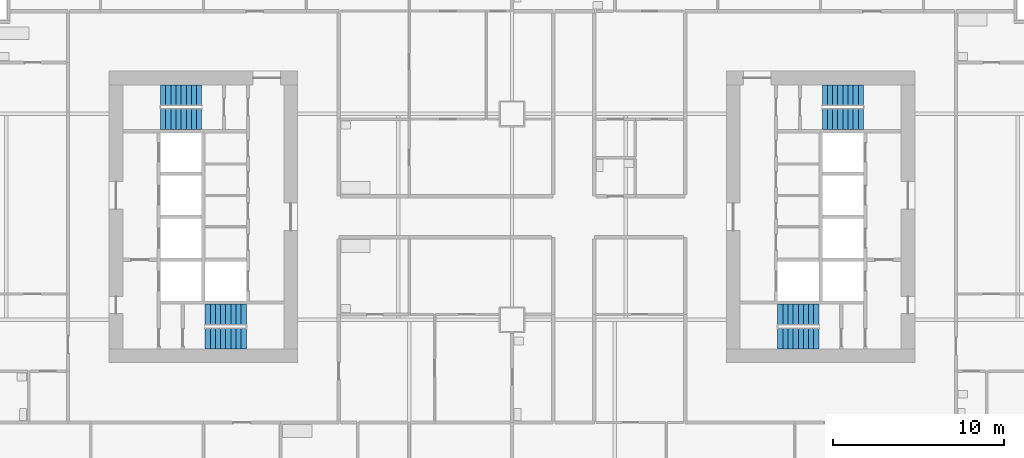
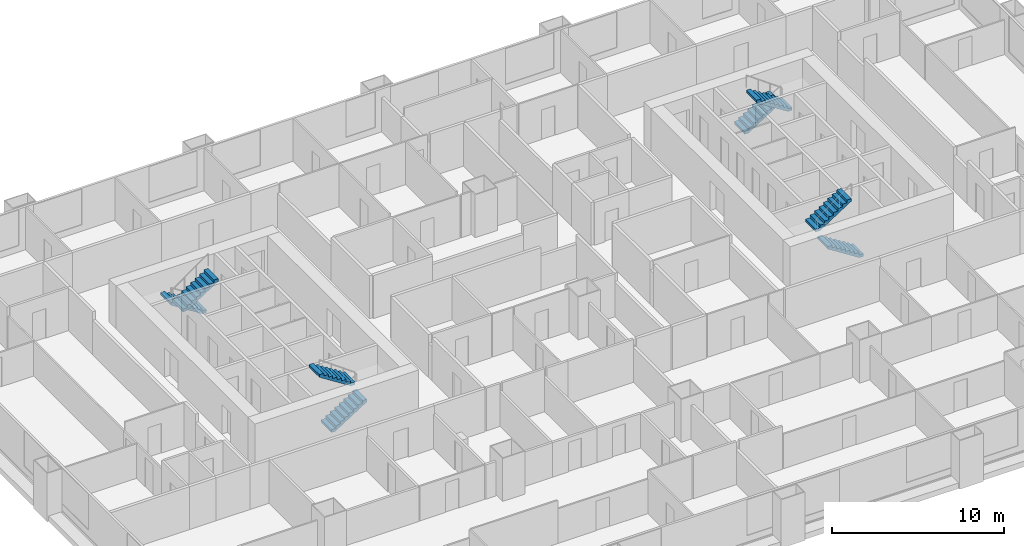
# One storey, part 11 of 13: 8 stair flights, 4 elements without a shape of their own.
"""IFC4 building model written with IfcOpenShell, lengths in metres."""

import ifcopenshell
import ifcopenshell.guid

model = None  # the IFC model being written
_history = None  # IfcOwnerHistory: only IFC2X3 demands one
_inside = {}  # id of a spatial element -> (the spatial element, [elements in it])
_under = {}  # id of a project, library or spatial element -> (it, [spatial elements below it])
_declared = {}  # id of a project -> (the project, [libraries it declares])
_typed = {}  # id of a type object -> (the type object, [elements of that type])
_made_of = {}  # id of a material, layer set ... -> (it, [elements and type objects made of it])


def new_model(schema):
    """Start an empty IFC model of exactly this schema.

    Asked for "IFC4X3", IfcOpenShell would pick the latest addendum, in which some entities
    have other attributes; the version numbers below select the first issue.
    IFC2X3 requires an IfcOwnerHistory on every rooted entity: one is made here for all.
    """
    global model, _history
    if schema == "IFC4X3":
        model = ifcopenshell.file(schema_version=(4, 3, 0, 0))
    else:
        model = ifcopenshell.file(schema=schema)
    _inside.clear()
    _under.clear()
    _declared.clear()
    _typed.clear()
    _made_of.clear()
    _history = None
    if model.schema == "IFC2X3":
        org = make("IfcOrganization", Name="unknown")
        user = make(
            "IfcPersonAndOrganization",
            ThePerson=make("IfcPerson", FamilyName="unknown"),
            TheOrganization=org,
        )
        app = make(
            "IfcApplication",
            ApplicationDeveloper=org,
            Version="unknown",
            ApplicationFullName="unknown",
            ApplicationIdentifier="unknown",
        )
        _history = make(
            "IfcOwnerHistory",
            OwningUser=user,
            OwningApplication=app,
            ChangeAction="ADDED",
            CreationDate=0,
        )
    return model


def make(cls, **values):
    """One entity of the class cls with the attributes given. An attribute that is None is left unset."""
    return model.create_entity(
        cls, **{name: value for name, value in values.items() if value is not None}
    )


def rooted(cls, **values):
    """An entity with a GlobalId (a new one), such as an element, a storey or a relation."""
    return make(cls, GlobalId=ifcopenshell.guid.new(), OwnerHistory=_history, **values)


def si_unit(unit_type, name, prefix=None):
    """IfcSIUnit, for example si_unit("LENGTHUNIT", "METRE", prefix="MILLI")."""
    return make("IfcSIUnit", UnitType=unit_type, Prefix=prefix, Name=name)


def assignment(units):
    """IfcUnitAssignment: the units of a project."""
    return None if units is None else make("IfcUnitAssignment", Units=units)


def point(xyz):
    """IfcCartesianPoint."""
    return None if xyz is None else make("IfcCartesianPoint", Coordinates=xyz)


def direction(xyz):
    """IfcDirection."""
    return None if xyz is None else make("IfcDirection", DirectionRatios=xyz)


def frame(location, z_axis=None, x_axis=None):
    """IfcAxis2Placement3D, a coordinate frame: its origin and axes. An axis left out is left unset."""
    return make(
        "IfcAxis2Placement3D",
        Location=point(location),
        Axis=direction(z_axis),
        RefDirection=direction(x_axis),
    )


def origin():
    """The frame at (0, 0, 0) with its axes left unset."""
    return frame((0.0, 0.0, 0.0))


def place(relative_to, where):
    """IfcLocalPlacement: puts the frame where relative to a parent placement (None: the world)."""
    return make(
        "IfcLocalPlacement", PlacementRelTo=relative_to, RelativePlacement=where
    )


def context(
    kind, dimensions, precision=None, world=None, true_north=None, identifier=None
):
    """IfcGeometricRepresentationContext, for example the 3D "Model" context."""
    return make(
        "IfcGeometricRepresentationContext",
        ContextIdentifier=identifier,
        ContextType=kind,
        CoordinateSpaceDimension=dimensions,
        Precision=precision,
        WorldCoordinateSystem=world,
        TrueNorth=true_north,
    )


def subcontext(parent, identifier, kind, view, scale=None):
    """IfcGeometricRepresentationSubContext, for example "Body" below "Model"."""
    return make(
        "IfcGeometricRepresentationSubContext",
        ContextIdentifier=identifier,
        ContextType=kind,
        ParentContext=parent,
        TargetScale=scale,
        TargetView=view,
    )


def project(units=None, contexts=None):
    """IfcProject with its units and contexts."""
    return rooted(
        "IfcProject",
        Name="project",
        RepresentationContexts=contexts,
        UnitsInContext=assignment(units),
    )


def spatial(cls, under=None, at=None, **own):
    """A site, building, storey or space (cls), placed at a placement, below another one or the project."""
    s = rooted(cls, ObjectPlacement=at, **own)
    if under is not None:
        _under.setdefault(under.id(), (under, []))[1].append(s)
    return s


def polyline(points):
    """IfcPolyline through the points."""
    return make("IfcPolyline", Points=[point(p) for p in points])


def outline(outer, holes=None, kind="AREA"):
    """IfcArbitraryClosedProfileDef: a profile drawn as a closed curve; with holes, ...WithVoids."""
    if holes is None:
        return make("IfcArbitraryClosedProfileDef", ProfileType=kind, OuterCurve=outer)
    return make(
        "IfcArbitraryProfileDefWithVoids",
        ProfileType=kind,
        OuterCurve=outer,
        InnerCurves=holes,
    )


def extrude(swept, where, along, depth):
    """IfcExtrudedAreaSolid: the profile swept, set in the frame where, extruded along a direction by depth."""
    return make(
        "IfcExtrudedAreaSolid",
        SweptArea=swept,
        Position=where,
        ExtrudedDirection=direction(along),
        Depth=depth,
    )


def shape(context_of_items, identifier, shape_type, items):
    """IfcShapeRepresentation: the items that make up one representation, for example the "Body"."""
    return make(
        "IfcShapeRepresentation",
        ContextOfItems=context_of_items,
        RepresentationIdentifier=identifier,
        RepresentationType=shape_type,
        Items=items,
    )


def material(Name=None, Category=None):
    """IfcMaterial."""
    return make("IfcMaterial", Name=Name, Category=Category)


def made_of(thing, what):
    """Note that an element or type object is made of a material, layer set ...; save() writes the relation."""
    if what is not None:
        _made_of.setdefault(what.id(), (what, []))[1].append(thing)
    return thing


def type_object(cls, material=None, **own):
    """A type object (cls), such as IfcWallType, which elements share."""
    return made_of(rooted(cls, **own), material)


def element(
    cls,
    number,
    at=None,
    inside=None,
    cuts=None,
    type_object=None,
    material=None,
    context=None,
    identifier="Body",
    shape_type=None,
    held_by="IfcProductDefinitionShape",
    body=None,
    shapes=None,
    **own,
):
    """One element of the class cls, such as IfcWall. Its Tag is "e" and its number.

    at: its placement. inside: the storey or other place that contains it. cuts: it is an
    opening in that element (IfcRelVoidsElement). A single representation is given by context,
    identifier, shape_type and body (its items); several are given by shapes. held_by: the class
    of the entity that holds the representations. save() writes the other relations.
    """
    e = rooted(cls, Tag="e%d" % number, ObjectPlacement=at, **own)
    if body is not None:
        shapes = [shape(context, identifier, shape_type, body)]
    if shapes is not None:
        e.Representation = make(held_by, Representations=shapes)
    if inside is not None:
        _inside.setdefault(inside.id(), (inside, []))[1].append(e)
    if cuts is not None:
        rooted(
            "IfcRelVoidsElement", RelatingBuildingElement=cuts, RelatedOpeningElement=e
        )
    if type_object is not None:
        _typed.setdefault(type_object.id(), (type_object, []))[1].append(e)
    return made_of(e, material)


def aggregate(whole, parts):
    """IfcRelAggregates: a whole, such as a stair, and the parts it consists of."""
    return rooted("IfcRelAggregates", RelatingObject=whole, RelatedObjects=parts)


def save(model, path):
    """Write the relations noted so far, then the file.

    IfcRelAggregates (storeys below a building ...), IfcRelContainedInSpatialStructure (elements
    in a storey), IfcRelDefinesByType, IfcRelAssociatesMaterial and IfcRelDeclares: one each for
    every whole, place, type object, material and project.
    """
    for whole, parts in _under.values():
        aggregate(whole, parts)
    for where, things in _inside.values():
        rooted(
            "IfcRelContainedInSpatialStructure",
            RelatedElements=things,
            RelatingStructure=where,
        )
    for kind, things in _typed.values():
        rooted("IfcRelDefinesByType", RelatedObjects=things, RelatingType=kind)
    for what, things in _made_of.values():
        rooted("IfcRelAssociatesMaterial", RelatedObjects=things, RelatingMaterial=what)
    for by, libraries in _declared.values():
        rooted("IfcRelDeclares", RelatingContext=by, RelatedDefinitions=libraries)
    model.write(path)


model = new_model("IFC4")

# Units and contexts
model_context = context("Model", 3, precision=1e-05, world=origin(), true_north=direction((0.0, 1.0)))
body_context = subcontext(model_context, "Body", "Model", "MODEL_VIEW")
ifc_project = project(units=[si_unit("LENGTHUNIT", "METRE"), si_unit("AREAUNIT", "SQUARE_METRE"), si_unit("VOLUMEUNIT", "CUBIC_METRE"), si_unit("PLANEANGLEUNIT", "RADIAN"), si_unit("MASSUNIT", "GRAM", prefix="KILO")], contexts=[model_context])

# Site, building, storey
site_placement = place(None, origin())
site = spatial("IfcSite", under=ifc_project, at=site_placement, CompositionType="ELEMENT")
building_placement = place(site_placement, origin())
building = spatial("IfcBuilding", under=site, at=building_placement, Name="Kitamizu Gate Tower and Museum", CompositionType="ELEMENT")
storey_placement = place(building_placement, frame((0.0, 0.0, 78.300048828125)))
storey = spatial("IfcBuildingStorey", under=building, at=storey_placement, Name="L19", CompositionType="ELEMENT", Elevation=78.300048828125)

# Stair, stair flights
ifc_material_1 = material(Name="Concrete Fc42", Category="concrete")
stair_type = type_object("IfcStairType", Name="Exit stair 1200 wide 192 rise 300 going", PredefinedType="HALF_TURN_STAIR", material=ifc_material_1)
stair_1_placement = place(storey_placement, origin())
stair_1 = element("IfcStair", 1, at=stair_1_placement, inside=storey, type_object=stair_type, Name="Exit stair ST1", PredefinedType="HALF_TURN_STAIR")
ifc_material_2 = material(Name="Concrete Fc42", Category="concrete")
stair_flight_type = type_object("IfcStairFlightType", Name="Stair flight 1200 wide 192 rise 300 going", PredefinedType="STRAIGHT", material=ifc_material_2)
stair_flight_1_placement = place(storey_placement, frame((18.10009765625, 22.89990234375, 0.0), z_axis=(0.0, 0.0, 1.0), x_axis=(1.0, 0.0, 0.0)))
stair_flight_1 = element("IfcStairFlight", 2, at=stair_flight_1_placement, type_object=stair_flight_type, Name="ST1 flight 1", NumberOfRisers=9, NumberOfTreads=8, PredefinedType="STRAIGHT", RiserHeight=0.191666667, TreadLength=0.3, context=body_context, shape_type="SweptSolid", body=[
    extrude(outline(polyline([(0.0, 0.0), (0.0, 0.191650390625), (0.300048828125, 0.191650390625), (0.300048828125, 0.38330078125), (0.60009765625, 0.38330078125), (0.60009765625, 0.574951171875), (0.89990234375, 0.574951171875), (0.89990234375, 0.7666015625), (1.199951171875, 0.7666015625), (1.199951171875, 0.958251953125), (1.5, 0.958251953125), (1.5, 1.14990234375), (1.800048828125, 1.14990234375), (1.800048828125, 1.341552734375), (2.10009765625, 1.341552734375), (2.10009765625, 1.533447265625), (2.39990234375, 1.533447265625), (2.39990234375, 1.72509765625), (2.39990234375, 1.35546875), (0.2783203125, 0.0), (0.0, 0.0)])), frame((0.0, 0.60009765625, 0.0), z_axis=(0.0, -1.0, 0.0), x_axis=(1.0, 0.0, 0.0)), (0.0, 0.0, 1.0), 1.199951171875),
])
stair_flight_2_placement = place(storey_placement, frame((20.5, 24.300048828125, 1.724853515625), z_axis=(0.0, 0.0, 1.0), x_axis=(-1.0, 0.0, 0.0)))
stair_flight_2 = element("IfcStairFlight", 3, at=stair_flight_2_placement, type_object=stair_flight_type, Name="ST1 flight 2", NumberOfRisers=9, NumberOfTreads=8, PredefinedType="STRAIGHT", RiserHeight=0.191666667, TreadLength=0.3, context=body_context, shape_type="SweptSolid", body=[
    extrude(outline(polyline([(0.0, 0.0), (0.0, 0.191650390625), (0.300048828125, 0.191650390625), (0.300048828125, 0.38330078125), (0.60009765625, 0.38330078125), (0.60009765625, 0.574951171875), (0.89990234375, 0.574951171875), (0.89990234375, 0.7666015625), (1.199951171875, 0.7666015625), (1.199951171875, 0.958251953125), (1.5, 0.958251953125), (1.5, 1.14990234375), (1.800048828125, 1.14990234375), (1.800048828125, 1.341552734375), (2.10009765625, 1.341552734375), (2.10009765625, 1.533447265625), (2.39990234375, 1.533447265625), (2.39990234375, 1.72509765625), (2.39990234375, 1.35546875), (0.2783203125, 0.0), (0.0, 0.0)])), frame((0.0, 0.60009765625, 0.0), z_axis=(0.0, -1.0, 0.0), x_axis=(1.0, 0.0, 0.0)), (0.0, 0.0, 1.0), 1.199951171875),
])
aggregate(stair_1, [stair_flight_1, stair_flight_2])

stair_2_placement = place(storey_placement, origin())
stair_2 = element("IfcStair", 4, at=stair_2_placement, inside=storey, type_object=stair_type, Name="Exit stair ST2", PredefinedType="HALF_TURN_STAIR")
stair_flight_3_placement = place(storey_placement, frame((17.89990234375, 37.10009765625, 0.0), z_axis=(0.0, 0.0, 1.0), x_axis=(-1.0, 0.0, 0.0)))
stair_flight_3 = element("IfcStairFlight", 5, at=stair_flight_3_placement, type_object=stair_flight_type, Name="ST2 flight 1", NumberOfRisers=9, NumberOfTreads=8, PredefinedType="STRAIGHT", RiserHeight=0.191666667, TreadLength=0.3, context=body_context, shape_type="SweptSolid", body=[
    extrude(outline(polyline([(0.0, 0.0), (0.0, 0.191650390625), (0.300048828125, 0.191650390625), (0.300048828125, 0.38330078125), (0.60009765625, 0.38330078125), (0.60009765625, 0.574951171875), (0.89990234375, 0.574951171875), (0.89990234375, 0.7666015625), (1.199951171875, 0.7666015625), (1.199951171875, 0.958251953125), (1.5, 0.958251953125), (1.5, 1.14990234375), (1.800048828125, 1.14990234375), (1.800048828125, 1.341552734375), (2.10009765625, 1.341552734375), (2.10009765625, 1.533447265625), (2.39990234375, 1.533447265625), (2.39990234375, 1.72509765625), (2.39990234375, 1.35546875), (0.2783203125, 0.0), (0.0, 0.0)])), frame((0.0, 0.60009765625, 0.0), z_axis=(0.0, -1.0, 0.0), x_axis=(1.0, 0.0, 0.0)), (0.0, 0.0, 1.0), 1.199951171875),
])
stair_flight_4_placement = place(storey_placement, frame((15.5, 35.699951171875, 1.724853515625), z_axis=(0.0, 0.0, 1.0), x_axis=(1.0, 0.0, 0.0)))
stair_flight_4 = element("IfcStairFlight", 6, at=stair_flight_4_placement, type_object=stair_flight_type, Name="ST2 flight 2", NumberOfRisers=9, NumberOfTreads=8, PredefinedType="STRAIGHT", RiserHeight=0.191666667, TreadLength=0.3, context=body_context, shape_type="SweptSolid", body=[
    extrude(outline(polyline([(0.0, 0.0), (0.0, 0.191650390625), (0.300048828125, 0.191650390625), (0.300048828125, 0.38330078125), (0.60009765625, 0.38330078125), (0.60009765625, 0.574951171875), (0.89990234375, 0.574951171875), (0.89990234375, 0.7666015625), (1.199951171875, 0.7666015625), (1.199951171875, 0.958251953125), (1.5, 0.958251953125), (1.5, 1.14990234375), (1.800048828125, 1.14990234375), (1.800048828125, 1.341552734375), (2.10009765625, 1.341552734375), (2.10009765625, 1.533447265625), (2.39990234375, 1.533447265625), (2.39990234375, 1.72509765625), (2.39990234375, 1.35546875), (0.2783203125, 0.0), (0.0, 0.0)])), frame((0.0, 0.60009765625, 0.0), z_axis=(0.0, -1.0, 0.0), x_axis=(1.0, 0.0, 0.0)), (0.0, 0.0, 1.0), 1.199951171875),
])
aggregate(stair_2, [stair_flight_3, stair_flight_4])

stair_3_placement = place(storey_placement, origin())
stair_3 = element("IfcStair", 7, at=stair_3_placement, inside=storey, type_object=stair_type, Name="Exit stair ST3", PredefinedType="HALF_TURN_STAIR")
stair_flight_5_placement = place(storey_placement, frame((53.89990234375, 22.89990234375, 0.0), z_axis=(0.0, 0.0, 1.0), x_axis=(-1.0, 0.0, 0.0)))
stair_flight_5 = element("IfcStairFlight", 8, at=stair_flight_5_placement, type_object=stair_flight_type, Name="ST3 flight 1", NumberOfRisers=9, NumberOfTreads=8, PredefinedType="STRAIGHT", RiserHeight=0.191666667, TreadLength=0.3, context=body_context, shape_type="SweptSolid", body=[
    extrude(outline(polyline([(0.0, 0.0), (0.0, 0.191650390625), (0.300048828125, 0.191650390625), (0.300048828125, 0.38330078125), (0.60009765625, 0.38330078125), (0.60009765625, 0.574951171875), (0.89990234375, 0.574951171875), (0.89990234375, 0.7666015625), (1.199951171875, 0.7666015625), (1.199951171875, 0.958251953125), (1.5, 0.958251953125), (1.5, 1.14990234375), (1.800048828125, 1.14990234375), (1.800048828125, 1.341552734375), (2.10009765625, 1.341552734375), (2.10009765625, 1.533447265625), (2.39990234375, 1.533447265625), (2.39990234375, 1.72509765625), (2.39990234375, 1.35546875), (0.2783203125, 0.0), (0.0, 0.0)])), frame((0.0, 0.60009765625, 0.0), z_axis=(0.0, -1.0, 0.0), x_axis=(1.0, 0.0, 0.0)), (0.0, 0.0, 1.0), 1.199951171875),
])
stair_flight_6_placement = place(storey_placement, frame((51.5, 24.300048828125, 1.724853515625), z_axis=(0.0, 0.0, 1.0), x_axis=(1.0, 0.0, 0.0)))
stair_flight_6 = element("IfcStairFlight", 9, at=stair_flight_6_placement, type_object=stair_flight_type, Name="ST3 flight 2", NumberOfRisers=9, NumberOfTreads=8, PredefinedType="STRAIGHT", RiserHeight=0.191666667, TreadLength=0.3, context=body_context, shape_type="SweptSolid", body=[
    extrude(outline(polyline([(0.0, 0.0), (0.0, 0.191650390625), (0.300048828125, 0.191650390625), (0.300048828125, 0.38330078125), (0.60009765625, 0.38330078125), (0.60009765625, 0.574951171875), (0.89990234375, 0.574951171875), (0.89990234375, 0.7666015625), (1.199951171875, 0.7666015625), (1.199951171875, 0.958251953125), (1.5, 0.958251953125), (1.5, 1.14990234375), (1.800048828125, 1.14990234375), (1.800048828125, 1.341552734375), (2.10009765625, 1.341552734375), (2.10009765625, 1.533447265625), (2.39990234375, 1.533447265625), (2.39990234375, 1.72509765625), (2.39990234375, 1.35546875), (0.2783203125, 0.0), (0.0, 0.0)])), frame((0.0, 0.60009765625, 0.0), z_axis=(0.0, -1.0, 0.0), x_axis=(1.0, 0.0, 0.0)), (0.0, 0.0, 1.0), 1.199951171875),
])
aggregate(stair_3, [stair_flight_5, stair_flight_6])

stair_4_placement = place(storey_placement, origin())
stair_4 = element("IfcStair", 10, at=stair_4_placement, inside=storey, type_object=stair_type, Name="Exit stair ST4", PredefinedType="HALF_TURN_STAIR")
stair_flight_7_placement = place(storey_placement, frame((54.10009765625, 37.10009765625, 0.0), z_axis=(0.0, 0.0, 1.0), x_axis=(1.0, 0.0, 0.0)))
stair_flight_7 = element("IfcStairFlight", 11, at=stair_flight_7_placement, type_object=stair_flight_type, Name="ST4 flight 1", NumberOfRisers=9, NumberOfTreads=8, PredefinedType="STRAIGHT", RiserHeight=0.191666667, TreadLength=0.3, context=body_context, shape_type="SweptSolid", body=[
    extrude(outline(polyline([(0.0, 0.0), (0.0, 0.191650390625), (0.300048828125, 0.191650390625), (0.300048828125, 0.38330078125), (0.60009765625, 0.38330078125), (0.60009765625, 0.574951171875), (0.89990234375, 0.574951171875), (0.89990234375, 0.7666015625), (1.199951171875, 0.7666015625), (1.199951171875, 0.958251953125), (1.5, 0.958251953125), (1.5, 1.14990234375), (1.800048828125, 1.14990234375), (1.800048828125, 1.341552734375), (2.10009765625, 1.341552734375), (2.10009765625, 1.533447265625), (2.39990234375, 1.533447265625), (2.39990234375, 1.72509765625), (2.39990234375, 1.35546875), (0.2783203125, 0.0), (0.0, 0.0)])), frame((0.0, 0.60009765625, 0.0), z_axis=(0.0, -1.0, 0.0), x_axis=(1.0, 0.0, 0.0)), (0.0, 0.0, 1.0), 1.199951171875),
])
stair_flight_8_placement = place(storey_placement, frame((56.5, 35.699951171875, 1.724853515625), z_axis=(0.0, 0.0, 1.0), x_axis=(-1.0, 0.0, 0.0)))
stair_flight_8 = element("IfcStairFlight", 12, at=stair_flight_8_placement, type_object=stair_flight_type, Name="ST4 flight 2", NumberOfRisers=9, NumberOfTreads=8, PredefinedType="STRAIGHT", RiserHeight=0.191666667, TreadLength=0.3, context=body_context, shape_type="SweptSolid", body=[
    extrude(outline(polyline([(0.0, 0.0), (0.0, 0.191650390625), (0.300048828125, 0.191650390625), (0.300048828125, 0.38330078125), (0.60009765625, 0.38330078125), (0.60009765625, 0.574951171875), (0.89990234375, 0.574951171875), (0.89990234375, 0.7666015625), (1.199951171875, 0.7666015625), (1.199951171875, 0.958251953125), (1.5, 0.958251953125), (1.5, 1.14990234375), (1.800048828125, 1.14990234375), (1.800048828125, 1.341552734375), (2.10009765625, 1.341552734375), (2.10009765625, 1.533447265625), (2.39990234375, 1.533447265625), (2.39990234375, 1.72509765625), (2.39990234375, 1.35546875), (0.2783203125, 0.0), (0.0, 0.0)])), frame((0.0, 0.60009765625, 0.0), z_axis=(0.0, -1.0, 0.0), x_axis=(1.0, 0.0, 0.0)), (0.0, 0.0, 1.0), 1.199951171875),
])
aggregate(stair_4, [stair_flight_7, stair_flight_8])

save(model, "model.ifc")
